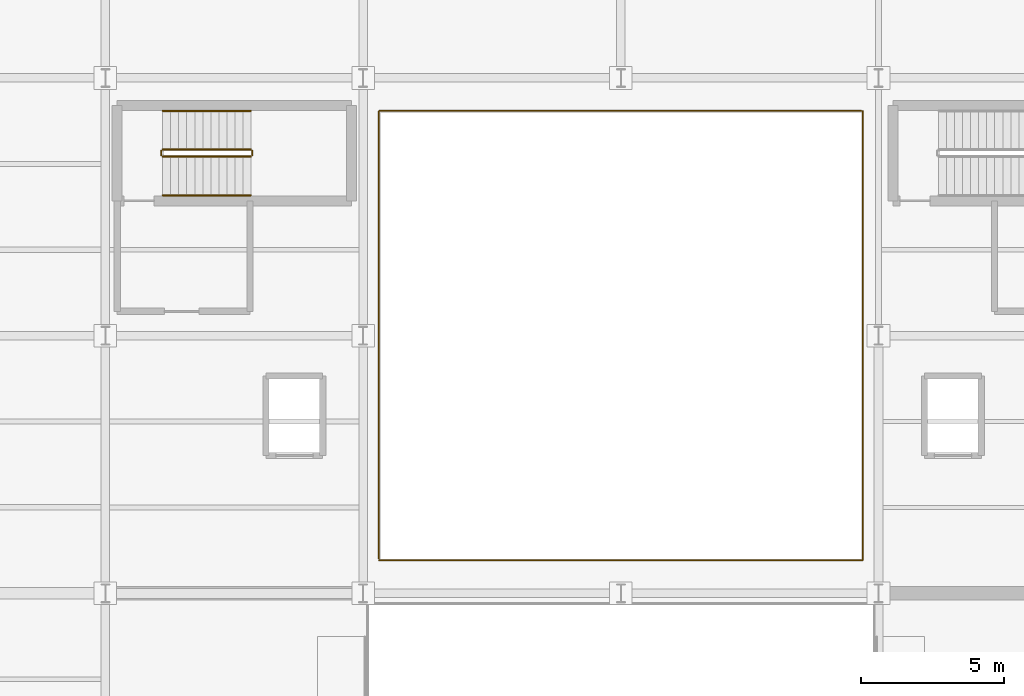
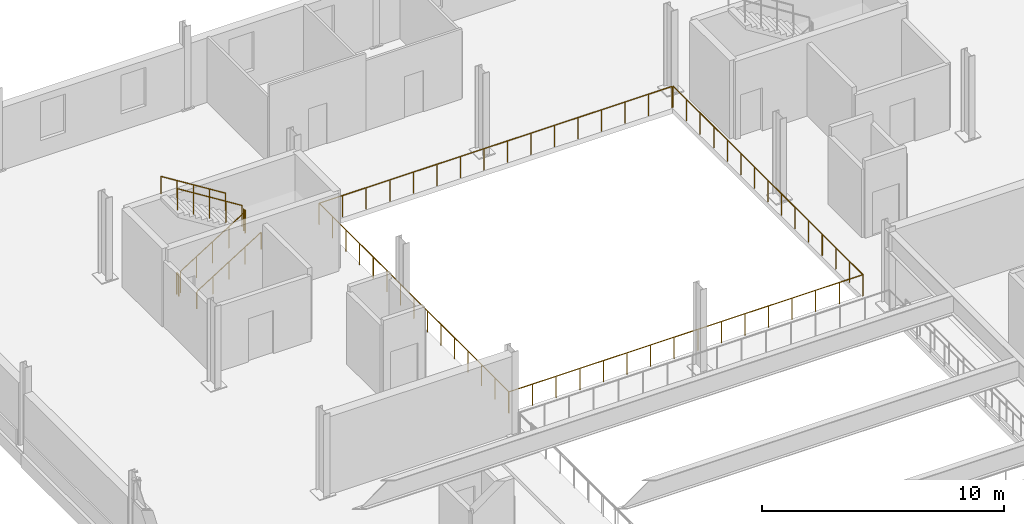
# One storey, part 15 of 17: 8 railings.
"""IFC4 building model written with IfcOpenShell, lengths in metres."""

from ifc_helpers import new_model, si_unit, direction, frame, origin, origin_2d, place, context, subcontext, project, spatial, circle, extrude, material, type_object, element, save


model = new_model("IFC4")

# Units and contexts
model_context = context("Model", 3, precision=1e-05, world=origin(), true_north=direction((0.0, 1.0)))
body_context = subcontext(model_context, "Body", "Model", "MODEL_VIEW")
ifc_project = project(units=[si_unit("LENGTHUNIT", "METRE"), si_unit("AREAUNIT", "SQUARE_METRE"), si_unit("VOLUMEUNIT", "CUBIC_METRE"), si_unit("PLANEANGLEUNIT", "RADIAN"), si_unit("MASSUNIT", "GRAM", prefix="KILO")], contexts=[model_context])

# Site, building, storey
site_placement = place(None, origin())
site = spatial("IfcSite", under=ifc_project, at=site_placement, CompositionType="ELEMENT")
building_placement = place(site_placement, origin())
building = spatial("IfcBuilding", under=site, at=building_placement, Name="Sundgate Opera House", CompositionType="ELEMENT")
storey_placement = place(building_placement, frame((0.0, 0.0, 26.39990234375)))
storey = spatial("IfcBuildingStorey", under=building, at=storey_placement, Name="L05", CompositionType="ELEMENT", Elevation=26.39990234375)

# Railings
ifc_material_1 = material(Name="Painted steel S275 guardrail", Category="steel")
railing_type_1 = type_object("IfcRailingType", Name="RL-STAIR-GUARD-1100", PredefinedType="GUARDRAIL", material=ifc_material_1)
railing_1_placement = place(storey_placement, frame((38.0, 75.25, 0.175048828125)))
element("IfcRailing", 1, at=railing_1_placement, inside=storey, type_object=railing_type_1, Name="ST02L05 Guardrail RL0083", PredefinedType="GUARDRAIL", context=body_context, shape_type="SweptSolid", body=[
    extrude(circle(Radius=0.02392578125, at=origin_2d()), frame((0.0, 0.0, 1.076171875), z_axis=(0.847998304005, 0.0, 0.529998940003), x_axis=(0.0, 1.0, 0.0)), (0.0, 0.0, 1.0), 3.632080078125),
    extrude(circle(Radius=0.02099609375, at=origin_2d()), origin(), (0.0, 0.0, 1.0), 1.052001953125),
    extrude(circle(Radius=0.02099609375, at=origin_2d()), frame((0.77001953125, 0.0, 0.481201171875)), (0.0, 0.0, 1.0), 1.052001953125),
    extrude(circle(Radius=0.02099609375, at=origin_2d()), frame((1.5400390625, 0.0, 0.96240234375)), (0.0, 0.0, 1.0), 1.052001953125),
    extrude(circle(Radius=0.02099609375, at=origin_2d()), frame((2.31005859375, 0.0, 1.44384765625)), (0.0, 0.0, 1.0), 1.052001953125),
    extrude(circle(Radius=0.02099609375, at=origin_2d()), frame((3.080078125, 0.0, 1.925048828125)), (0.0, 0.0, 1.0), 1.052001953125),
])
railing_2_placement = place(storey_placement, frame((41.1298828125, 75.300048828125, 2.10009765625)))
element("IfcRailing", 2, at=railing_2_placement, inside=storey, type_object=railing_type_1, Name="ST02L05 Guardrail RL0084", PredefinedType="GUARDRAIL", context=body_context, shape_type="SweptSolid", body=[
    extrude(circle(Radius=0.02392578125, at=origin_2d()), frame((0.0, 0.0, 1.076171875), z_axis=(0.0, 1.0, 0.0), x_axis=(-1.0, 0.0, 0.0)), (0.0, 0.0, 1.0), 0.14990234375),
    extrude(circle(Radius=0.02099609375, at=origin_2d()), origin(), (0.0, 0.0, 1.0), 1.052001953125),
    extrude(circle(Radius=0.02099609375, at=origin_2d()), frame((0.0, 0.14990234375, 0.0)), (0.0, 0.0, 1.0), 1.052001953125),
])
railing_3_placement = place(storey_placement, frame((41.080078125, 75.5, 2.275146484375)))
element("IfcRailing", 3, at=railing_3_placement, inside=storey, type_object=railing_type_1, Name="ST02L05 Guardrail RL0085", PredefinedType="GUARDRAIL", context=body_context, shape_type="SweptSolid", body=[
    extrude(circle(Radius=0.02392578125, at=origin_2d()), frame((0.0, 0.0, 1.076171875), z_axis=(-0.847998304005, 0.0, 0.529998940003), x_axis=(0.0, -1.0, 0.0)), (0.0, 0.0, 1.0), 3.632080078125),
    extrude(circle(Radius=0.02099609375, at=origin_2d()), origin(), (0.0, 0.0, 1.0), 1.052001953125),
    extrude(circle(Radius=0.02099609375, at=origin_2d()), frame((-0.77001953125, 0.0, 0.481201171875)), (0.0, 0.0, 1.0), 1.052001953125),
    extrude(circle(Radius=0.02099609375, at=origin_2d()), frame((-1.5400390625, 0.0, 0.96240234375)), (0.0, 0.0, 1.0), 1.052001953125),
    extrude(circle(Radius=0.02099609375, at=origin_2d()), frame((-2.31005859375, 0.0, 1.44384765625)), (0.0, 0.0, 1.0), 1.052001953125),
    extrude(circle(Radius=0.02099609375, at=origin_2d()), frame((-3.080078125, 0.0, 1.925048828125)), (0.0, 0.0, 1.0), 1.052001953125),
])
railing_4_placement = place(storey_placement, frame((37.949951171875, 75.300048828125, 0.0)))
element("IfcRailing", 4, at=railing_4_placement, inside=storey, type_object=railing_type_1, Name="ST02L05 Guardrail RL0086", PredefinedType="GUARDRAIL", context=body_context, shape_type="SweptSolid", body=[
    extrude(circle(Radius=0.02392578125, at=origin_2d()), frame((0.0, 0.0, 1.076171875), z_axis=(0.0, 1.0, 0.0), x_axis=(-1.0, 0.0, 0.0)), (0.0, 0.0, 1.0), 0.14990234375),
    extrude(circle(Radius=0.02099609375, at=origin_2d()), origin(), (0.0, 0.0, 1.0), 1.052001953125),
    extrude(circle(Radius=0.02099609375, at=origin_2d()), frame((0.0, 0.14990234375, 0.0)), (0.0, 0.0, 1.0), 1.052001953125),
])
railing_5_placement = place(storey_placement, frame((45.550048828125, 61.14990234375, 0.0)))
element("IfcRailing", 5, at=railing_5_placement, inside=storey, type_object=railing_type_1, Name="L05 Interior Guardrail RL0312", PredefinedType="GUARDRAIL", context=body_context, shape_type="SweptSolid", body=[
    extrude(circle(Radius=0.02392578125, at=origin_2d()), frame((0.0, 0.0, 1.076171875), z_axis=(1.0, 0.0, 0.0), x_axis=(0.0, 1.0, 0.0)), (0.0, 0.0, 1.0), 16.89990234375),
    extrude(circle(Radius=0.02392578125, at=origin_2d()), frame((16.89990234375, 0.0, 1.076171875), z_axis=(0.0, 1.0, 0.0), x_axis=(-1.0, 0.0, 0.0)), (0.0, 0.0, 1.0), 15.7001953125),
    extrude(circle(Radius=0.02099609375, at=origin_2d()), origin(), (0.0, 0.0, 1.0), 1.052001953125),
    extrude(circle(Radius=0.02099609375, at=origin_2d()), frame((1.126708984375, 0.0, 0.0)), (0.0, 0.0, 1.0), 1.052001953125),
    extrude(circle(Radius=0.02099609375, at=origin_2d()), frame((2.25341796875, 0.0, 0.0)), (0.0, 0.0, 1.0), 1.052001953125),
    extrude(circle(Radius=0.02099609375, at=origin_2d()), frame((3.3798828125, 0.0, 0.0)), (0.0, 0.0, 1.0), 1.052001953125),
    extrude(circle(Radius=0.02099609375, at=origin_2d()), frame((4.506591796875, 0.0, 0.0)), (0.0, 0.0, 1.0), 1.052001953125),
    extrude(circle(Radius=0.02099609375, at=origin_2d()), frame((5.63330078125, 0.0, 0.0)), (0.0, 0.0, 1.0), 1.052001953125),
    extrude(circle(Radius=0.02099609375, at=origin_2d()), frame((6.760009765625, 0.0, 0.0)), (0.0, 0.0, 1.0), 1.052001953125),
    extrude(circle(Radius=0.02099609375, at=origin_2d()), frame((7.88671875, 0.0, 0.0)), (0.0, 0.0, 1.0), 1.052001953125),
    extrude(circle(Radius=0.02099609375, at=origin_2d()), frame((9.01318359375, 0.0, 0.0)), (0.0, 0.0, 1.0), 1.052001953125),
    extrude(circle(Radius=0.02099609375, at=origin_2d()), frame((10.139892578125, 0.0, 0.0)), (0.0, 0.0, 1.0), 1.052001953125),
    extrude(circle(Radius=0.02099609375, at=origin_2d()), frame((11.2666015625, 0.0, 0.0)), (0.0, 0.0, 1.0), 1.052001953125),
    extrude(circle(Radius=0.02099609375, at=origin_2d()), frame((12.393310546875, 0.0, 0.0)), (0.0, 0.0, 1.0), 1.052001953125),
    extrude(circle(Radius=0.02099609375, at=origin_2d()), frame((13.52001953125, 0.0, 0.0)), (0.0, 0.0, 1.0), 1.052001953125),
    extrude(circle(Radius=0.02099609375, at=origin_2d()), frame((14.646484375, 0.0, 0.0)), (0.0, 0.0, 1.0), 1.052001953125),
    extrude(circle(Radius=0.02099609375, at=origin_2d()), frame((15.773193359375, 0.0, 0.0)), (0.0, 0.0, 1.0), 1.052001953125),
    extrude(circle(Radius=0.02099609375, at=origin_2d()), frame((16.89990234375, 0.0, 0.0)), (0.0, 0.0, 1.0), 1.052001953125),
    extrude(circle(Radius=0.02099609375, at=origin_2d()), frame((16.89990234375, 1.121337890625, 0.0)), (0.0, 0.0, 1.0), 1.052001953125),
    extrude(circle(Radius=0.02099609375, at=origin_2d()), frame((16.89990234375, 2.242919921875, 0.0)), (0.0, 0.0, 1.0), 1.052001953125),
    extrude(circle(Radius=0.02099609375, at=origin_2d()), frame((16.89990234375, 3.3642578125, 0.0)), (0.0, 0.0, 1.0), 1.052001953125),
    extrude(circle(Radius=0.02099609375, at=origin_2d()), frame((16.89990234375, 4.48583984375, 0.0)), (0.0, 0.0, 1.0), 1.052001953125),
    extrude(circle(Radius=0.02099609375, at=origin_2d()), frame((16.89990234375, 5.607177734375, 0.0)), (0.0, 0.0, 1.0), 1.052001953125),
    extrude(circle(Radius=0.02099609375, at=origin_2d()), frame((16.89990234375, 6.728759765625, 0.0)), (0.0, 0.0, 1.0), 1.052001953125),
    extrude(circle(Radius=0.02099609375, at=origin_2d()), frame((16.89990234375, 7.85009765625, 0.0)), (0.0, 0.0, 1.0), 1.052001953125),
    extrude(circle(Radius=0.02099609375, at=origin_2d()), frame((16.89990234375, 8.971435546875, 0.0)), (0.0, 0.0, 1.0), 1.052001953125),
    extrude(circle(Radius=0.02099609375, at=origin_2d()), frame((16.89990234375, 10.093017578125, 0.0)), (0.0, 0.0, 1.0), 1.052001953125),
    extrude(circle(Radius=0.02099609375, at=origin_2d()), frame((16.89990234375, 11.21435546875, 0.0)), (0.0, 0.0, 1.0), 1.052001953125),
    extrude(circle(Radius=0.02099609375, at=origin_2d()), frame((16.89990234375, 12.3359375, 0.0)), (0.0, 0.0, 1.0), 1.052001953125),
    extrude(circle(Radius=0.02099609375, at=origin_2d()), frame((16.89990234375, 13.457275390625, 0.0)), (0.0, 0.0, 1.0), 1.052001953125),
    extrude(circle(Radius=0.02099609375, at=origin_2d()), frame((16.89990234375, 14.578857421875, 0.0)), (0.0, 0.0, 1.0), 1.052001953125),
    extrude(circle(Radius=0.02099609375, at=origin_2d()), frame((16.89990234375, 15.7001953125, 0.0)), (0.0, 0.0, 1.0), 1.052001953125),
])
railing_6_placement = place(storey_placement, frame((62.39990234375, 76.85009765625, 0.0)))
element("IfcRailing", 6, at=railing_6_placement, inside=storey, type_object=railing_type_1, Name="L05 Interior Guardrail RL0313", PredefinedType="GUARDRAIL", context=body_context, shape_type="SweptSolid", body=[
    extrude(circle(Radius=0.02392578125, at=origin_2d()), frame((0.0, 0.0, 1.076171875), z_axis=(-1.0, 0.0, 0.0), x_axis=(0.0, -1.0, 0.0)), (0.0, 0.0, 1.0), 16.849853515625),
    extrude(circle(Radius=0.02392578125, at=origin_2d()), frame((-16.849853515625, 0.0, 1.076171875), z_axis=(0.0, -1.0, 0.0), x_axis=(1.0, 0.0, 0.0)), (0.0, 0.0, 1.0), 15.650146484375),
    extrude(circle(Radius=0.02099609375, at=origin_2d()), origin(), (0.0, 0.0, 1.0), 1.052001953125),
    extrude(circle(Radius=0.02099609375, at=origin_2d()), frame((-1.123291015625, 0.0, 0.0)), (0.0, 0.0, 1.0), 1.052001953125),
    extrude(circle(Radius=0.02099609375, at=origin_2d()), frame((-2.24658203125, 0.0, 0.0)), (0.0, 0.0, 1.0), 1.052001953125),
    extrude(circle(Radius=0.02099609375, at=origin_2d()), frame((-3.369873046875, 0.0, 0.0)), (0.0, 0.0, 1.0), 1.052001953125),
    extrude(circle(Radius=0.02099609375, at=origin_2d()), frame((-4.493408203125, 0.0, 0.0)), (0.0, 0.0, 1.0), 1.052001953125),
    extrude(circle(Radius=0.02099609375, at=origin_2d()), frame((-5.61669921875, 0.0, 0.0)), (0.0, 0.0, 1.0), 1.052001953125),
    extrude(circle(Radius=0.02099609375, at=origin_2d()), frame((-6.739990234375, 0.0, 0.0)), (0.0, 0.0, 1.0), 1.052001953125),
    extrude(circle(Radius=0.02099609375, at=origin_2d()), frame((-7.86328125, 0.0, 0.0)), (0.0, 0.0, 1.0), 1.052001953125),
    extrude(circle(Radius=0.02099609375, at=origin_2d()), frame((-8.986572265625, 0.0, 0.0)), (0.0, 0.0, 1.0), 1.052001953125),
    extrude(circle(Radius=0.02099609375, at=origin_2d()), frame((-10.10986328125, 0.0, 0.0)), (0.0, 0.0, 1.0), 1.052001953125),
    extrude(circle(Radius=0.02099609375, at=origin_2d()), frame((-11.233154296875, 0.0, 0.0)), (0.0, 0.0, 1.0), 1.052001953125),
    extrude(circle(Radius=0.02099609375, at=origin_2d()), frame((-12.3564453125, 0.0, 0.0)), (0.0, 0.0, 1.0), 1.052001953125),
    extrude(circle(Radius=0.02099609375, at=origin_2d()), frame((-13.47998046875, 0.0, 0.0)), (0.0, 0.0, 1.0), 1.052001953125),
    extrude(circle(Radius=0.02099609375, at=origin_2d()), frame((-14.603271484375, 0.0, 0.0)), (0.0, 0.0, 1.0), 1.052001953125),
    extrude(circle(Radius=0.02099609375, at=origin_2d()), frame((-15.7265625, 0.0, 0.0)), (0.0, 0.0, 1.0), 1.052001953125),
    extrude(circle(Radius=0.02099609375, at=origin_2d()), frame((-16.849853515625, 0.0, 0.0)), (0.0, 0.0, 1.0), 1.052001953125),
    extrude(circle(Radius=0.02099609375, at=origin_2d()), frame((-16.849853515625, -1.117919921875, 0.0)), (0.0, 0.0, 1.0), 1.052001953125),
    extrude(circle(Radius=0.02099609375, at=origin_2d()), frame((-16.849853515625, -2.23583984375, 0.0)), (0.0, 0.0, 1.0), 1.052001953125),
    extrude(circle(Radius=0.02099609375, at=origin_2d()), frame((-16.849853515625, -3.353515625, 0.0)), (0.0, 0.0, 1.0), 1.052001953125),
    extrude(circle(Radius=0.02099609375, at=origin_2d()), frame((-16.849853515625, -4.471435546875, 0.0)), (0.0, 0.0, 1.0), 1.052001953125),
    extrude(circle(Radius=0.02099609375, at=origin_2d()), frame((-16.849853515625, -5.58935546875, 0.0)), (0.0, 0.0, 1.0), 1.052001953125),
    extrude(circle(Radius=0.02099609375, at=origin_2d()), frame((-16.849853515625, -6.707275390625, 0.0)), (0.0, 0.0, 1.0), 1.052001953125),
    extrude(circle(Radius=0.02099609375, at=origin_2d()), frame((-16.849853515625, -7.8251953125, 0.0)), (0.0, 0.0, 1.0), 1.052001953125),
    extrude(circle(Radius=0.02099609375, at=origin_2d()), frame((-16.849853515625, -8.94287109375, 0.0)), (0.0, 0.0, 1.0), 1.052001953125),
    extrude(circle(Radius=0.02099609375, at=origin_2d()), frame((-16.849853515625, -10.060791015625, 0.0)), (0.0, 0.0, 1.0), 1.052001953125),
    extrude(circle(Radius=0.02099609375, at=origin_2d()), frame((-16.849853515625, -11.1787109375, 0.0)), (0.0, 0.0, 1.0), 1.052001953125),
    extrude(circle(Radius=0.02099609375, at=origin_2d()), frame((-16.849853515625, -12.296630859375, 0.0)), (0.0, 0.0, 1.0), 1.052001953125),
    extrude(circle(Radius=0.02099609375, at=origin_2d()), frame((-16.849853515625, -13.414306640625, 0.0)), (0.0, 0.0, 1.0), 1.052001953125),
    extrude(circle(Radius=0.02099609375, at=origin_2d()), frame((-16.849853515625, -14.5322265625, 0.0)), (0.0, 0.0, 1.0), 1.052001953125),
    extrude(circle(Radius=0.02099609375, at=origin_2d()), frame((-16.849853515625, -15.650146484375, 0.0)), (0.0, 0.0, 1.0), 1.052001953125),
])
ifc_material_2 = material(Name="Brushed stainless steel handrail", Category="steel")
railing_type_2 = type_object("IfcRailingType", Name="RL-STAIR-HAND-900", PredefinedType="HANDRAIL", material=ifc_material_2)
railing_7_placement = place(storey_placement, frame((38.0, 73.89990234375, 0.175048828125)))
element("IfcRailing", 7, at=railing_7_placement, inside=storey, type_object=railing_type_2, Name="ST02L05 Handrail RL0087", PredefinedType="HANDRAIL", context=body_context, shape_type="SweptSolid", body=[
    extrude(circle(Radius=0.02392578125, at=origin_2d()), frame((0.0, 0.0, 0.8759765625), z_axis=(0.847998304005, 0.0, 0.529998940003), x_axis=(0.0, 1.0, 0.0)), (0.0, 0.0, 1.0), 3.632080078125),
    extrude(circle(Radius=0.02099609375, at=origin_2d()), origin(), (0.0, 0.0, 1.0), 0.851806640625),
    extrude(circle(Radius=0.02099609375, at=origin_2d()), frame((0.77001953125, 0.0, 0.481201171875)), (0.0, 0.0, 1.0), 0.851806640625),
    extrude(circle(Radius=0.02099609375, at=origin_2d()), frame((1.5400390625, 0.0, 0.96240234375)), (0.0, 0.0, 1.0), 0.851806640625),
    extrude(circle(Radius=0.02099609375, at=origin_2d()), frame((2.31005859375, 0.0, 1.44384765625)), (0.0, 0.0, 1.0), 0.851806640625),
    extrude(circle(Radius=0.02099609375, at=origin_2d()), frame((3.080078125, 0.0, 1.925048828125)), (0.0, 0.0, 1.0), 0.851806640625),
])
railing_8_placement = place(storey_placement, frame((41.080078125, 76.85009765625, 2.275146484375)))
element("IfcRailing", 8, at=railing_8_placement, inside=storey, type_object=railing_type_2, Name="ST02L05 Handrail RL0088", PredefinedType="HANDRAIL", context=body_context, shape_type="SweptSolid", body=[
    extrude(circle(Radius=0.02392578125, at=origin_2d()), frame((0.0, 0.0, 0.8759765625), z_axis=(-0.847998304005, 0.0, 0.529998940003), x_axis=(0.0, -1.0, 0.0)), (0.0, 0.0, 1.0), 3.632080078125),
    extrude(circle(Radius=0.02099609375, at=origin_2d()), origin(), (0.0, 0.0, 1.0), 0.851806640625),
    extrude(circle(Radius=0.02099609375, at=origin_2d()), frame((-0.77001953125, 0.0, 0.481201171875)), (0.0, 0.0, 1.0), 0.851806640625),
    extrude(circle(Radius=0.02099609375, at=origin_2d()), frame((-1.5400390625, 0.0, 0.96240234375)), (0.0, 0.0, 1.0), 0.851806640625),
    extrude(circle(Radius=0.02099609375, at=origin_2d()), frame((-2.31005859375, 0.0, 1.44384765625)), (0.0, 0.0, 1.0), 0.851806640625),
    extrude(circle(Radius=0.02099609375, at=origin_2d()), frame((-3.080078125, 0.0, 1.925048828125)), (0.0, 0.0, 1.0), 0.851806640625),
])

save(model, "model.ifc")
